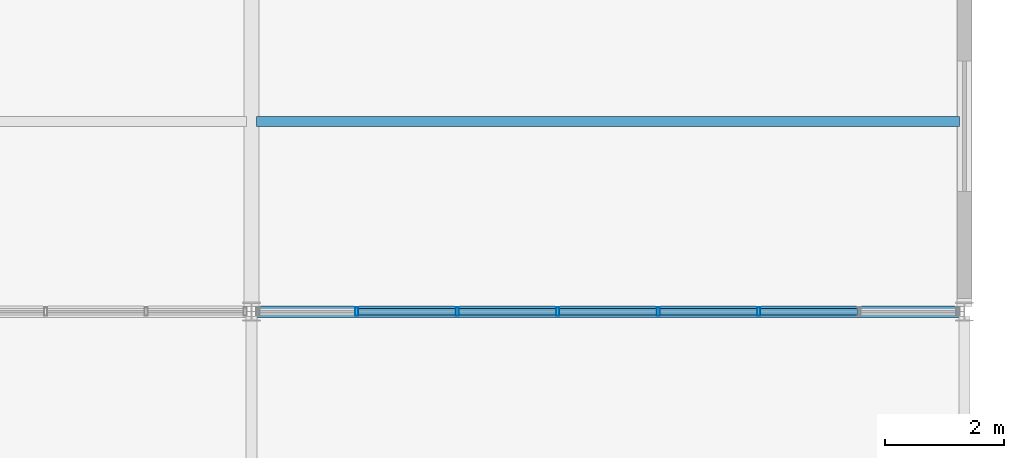
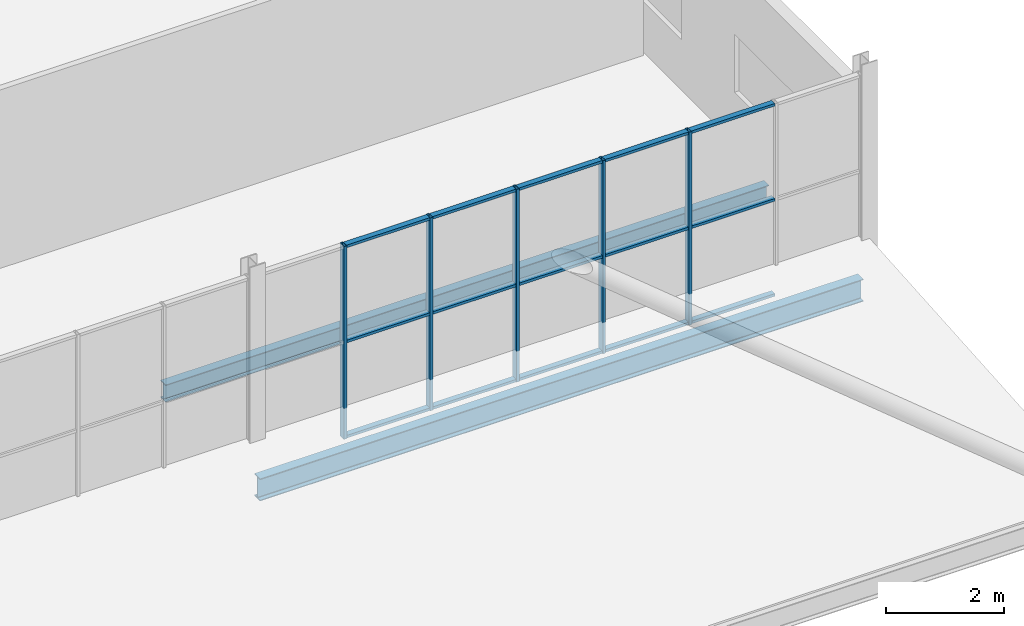
# One storey, part 189 of 324: 20 members, 2 beams, 1 element without a shape of its own.
"""IFC4 building model written with IfcOpenShell, lengths in metres."""

from ifc_helpers import new_model, si_unit, direction, frame, origin, origin_2d, place, context, subcontext, project, spatial, hollow_rectangle, i_section, extrude, material, layer, layer_set, material_profile, profile_set, type_object, element, aggregate, save


model = new_model("IFC4")

# Units and contexts
model_context = context("Model", 3, precision=1e-05, world=origin(), true_north=direction((0.0, 1.0)))
body_context = subcontext(model_context, "Body", "Model", "MODEL_VIEW")
ifc_project = project(units=[si_unit("LENGTHUNIT", "METRE"), si_unit("AREAUNIT", "SQUARE_METRE"), si_unit("VOLUMEUNIT", "CUBIC_METRE"), si_unit("PLANEANGLEUNIT", "RADIAN"), si_unit("MASSUNIT", "GRAM", prefix="KILO")], contexts=[model_context])

# Site, building, storey
site_placement = place(None, origin())
site = spatial("IfcSite", under=ifc_project, at=site_placement, CompositionType="ELEMENT")
building_placement = place(site_placement, origin())
building = spatial("IfcBuilding", under=site, at=building_placement, Name="Solvenia Promenade Tram Depot", CompositionType="ELEMENT")
storey_placement = place(building_placement, frame((0.0, 0.0, 4.5)))
storey = spatial("IfcBuildingStorey", under=building, at=storey_placement, Name="L01", CompositionType="ELEMENT", Elevation=4.5)

# Curtain wall, members
ifc_material_1 = material(Name="Anodized aluminium AW-6063 T6", Category="aluminium")
ifc_layer = layer(ifc_material_1, 0.179931640625, Name="Anodized aluminium AW-6063 T6", Category="aluminium")
ifc_layer_set = layer_set([ifc_layer], Name="Anodized aluminium AW-6063 T6")
curtain_wall_type = type_object("IfcCurtainWallType", Name="CW-Prom-1800", PredefinedType="NOTDEFINED", material=ifc_layer_set)
curtain_wall_placement = place(storey_placement, origin())
curtain_wall = element("IfcCurtainWall", 1, at=curtain_wall_placement, inside=storey, type_object=curtain_wall_type, Name="Curtain Wall CW-V5S-L1-05", PredefinedType="NOTDEFINED")
ifc_material_profile_1 = material_profile(ifc_material_1, hollow_rectangle(XDim=0.139892578125, YDim=0.054931640625, WallThickness=0.00390625, at=origin_2d()), Name="ALU-M4", Category="aluminium")
ifc_profile_set_1 = profile_set([ifc_material_profile_1], Name="Anodized aluminium AW-6063 T6")
member_type_1 = type_object("IfcMemberType", Name="CWM-Mullion-4", PredefinedType="MULLION", material=ifc_profile_set_1)
member_1_placement = place(storey_placement, frame((175.771484375, 8.0, 0.0), z_axis=(0.0, 0.0, 1.0), x_axis=(0.0, 1.0, 0.0)))
member_1 = element("IfcMember", 2, at=member_1_placement, type_object=member_type_1, Name="CW-9 mullion 2", PredefinedType="MULLION", context=body_context, shape_type="SweptSolid", body=[
    extrude(hollow_rectangle(XDim=0.139892578125, YDim=0.054931640625, WallThickness=0.00390625, at=origin_2d()), origin(), (0.0, 0.0, 1.0), 4.0),
])
member_2_placement = place(storey_placement, frame((177.462890625, 8.0, 0.0), z_axis=(0.0, 0.0, 1.0), x_axis=(0.0, 1.0, 0.0)))
member_2 = element("IfcMember", 3, at=member_2_placement, type_object=member_type_1, Name="CW-9 mullion 3", PredefinedType="MULLION", context=body_context, shape_type="SweptSolid", body=[
    extrude(hollow_rectangle(XDim=0.139892578125, YDim=0.054931640625, WallThickness=0.00390625, at=origin_2d()), origin(), (0.0, 0.0, 1.0), 4.0),
])
member_3_placement = place(storey_placement, frame((179.154296875, 8.0, 0.0), z_axis=(0.0, 0.0, 1.0), x_axis=(0.0, 1.0, 0.0)))
member_3 = element("IfcMember", 4, at=member_3_placement, type_object=member_type_1, Name="CW-9 mullion 4", PredefinedType="MULLION", context=body_context, shape_type="SweptSolid", body=[
    extrude(hollow_rectangle(XDim=0.139892578125, YDim=0.054931640625, WallThickness=0.00390625, at=origin_2d()), origin(), (0.0, 0.0, 1.0), 4.0),
])
member_4_placement = place(storey_placement, frame((180.845703125, 8.0, 0.0), z_axis=(0.0, 0.0, 1.0), x_axis=(0.0, 1.0, 0.0)))
member_4 = element("IfcMember", 5, at=member_4_placement, type_object=member_type_1, Name="CW-9 mullion 5", PredefinedType="MULLION", context=body_context, shape_type="SweptSolid", body=[
    extrude(hollow_rectangle(XDim=0.139892578125, YDim=0.054931640625, WallThickness=0.00390625, at=origin_2d()), origin(), (0.0, 0.0, 1.0), 4.0),
])
member_5_placement = place(storey_placement, frame((182.537109375, 8.0, 0.0), z_axis=(0.0, 0.0, 1.0), x_axis=(0.0, 1.0, 0.0)))
member_5 = element("IfcMember", 6, at=member_5_placement, type_object=member_type_1, Name="CW-9 mullion 6", PredefinedType="MULLION", context=body_context, shape_type="SweptSolid", body=[
    extrude(hollow_rectangle(XDim=0.139892578125, YDim=0.054931640625, WallThickness=0.00390625, at=origin_2d()), origin(), (0.0, 0.0, 1.0), 4.0),
])
ifc_material_profile_2 = material_profile(ifc_material_1, hollow_rectangle(XDim=0.110107421875, YDim=0.054931640625, WallThickness=0.00390625, at=origin_2d()), Name="ALU-T4", Category="aluminium")
ifc_profile_set_2 = profile_set([ifc_material_profile_2], Name="Anodized aluminium AW-6063 T6")
member_type_2 = type_object("IfcMemberType", Name="CWT-Transom-4", PredefinedType="USERDEFINED", material=ifc_profile_set_2)
member_6_placement = place(storey_placement, frame((175.798828125, 8.0, 0.027587890625), z_axis=(1.0, 0.0, 0.0), x_axis=(0.0, 1.0, 0.0)))
member_6 = element("IfcMember", 7, at=member_6_placement, type_object=member_type_2, Name="CW-9 transom 2.1", ObjectType="TRANSOM", PredefinedType="USERDEFINED", context=body_context, shape_type="SweptSolid", body=[
    extrude(hollow_rectangle(XDim=0.110107421875, YDim=0.054931640625, WallThickness=0.00390625, at=origin_2d()), origin(), (0.0, 0.0, 1.0), 1.636474609375),
])
member_7_placement = place(storey_placement, frame((175.798828125, 8.0, 2.0), z_axis=(1.0, 0.0, 0.0), x_axis=(0.0, 1.0, 0.0)))
member_7 = element("IfcMember", 8, at=member_7_placement, type_object=member_type_2, Name="CW-9 transom 2.2", ObjectType="TRANSOM", PredefinedType="USERDEFINED", context=body_context, shape_type="SweptSolid", body=[
    extrude(hollow_rectangle(XDim=0.110107421875, YDim=0.054931640625, WallThickness=0.00390625, at=origin_2d()), origin(), (0.0, 0.0, 1.0), 1.636474609375),
])
member_8_placement = place(storey_placement, frame((175.798828125, 8.0, 3.972412109375), z_axis=(1.0, 0.0, 0.0), x_axis=(0.0, 1.0, 0.0)))
member_8 = element("IfcMember", 9, at=member_8_placement, type_object=member_type_2, Name="CW-9 transom 2.3", ObjectType="TRANSOM", PredefinedType="USERDEFINED", context=body_context, shape_type="SweptSolid", body=[
    extrude(hollow_rectangle(XDim=0.110107421875, YDim=0.054931640625, WallThickness=0.00390625, at=origin_2d()), origin(), (0.0, 0.0, 1.0), 1.636474609375),
])
member_9_placement = place(storey_placement, frame((177.490478515625, 8.0, 0.027587890625), z_axis=(1.0, 0.0, 0.0), x_axis=(0.0, 1.0, 0.0)))
member_9 = element("IfcMember", 10, at=member_9_placement, type_object=member_type_2, Name="CW-9 transom 3.1", ObjectType="TRANSOM", PredefinedType="USERDEFINED", context=body_context, shape_type="SweptSolid", body=[
    extrude(hollow_rectangle(XDim=0.110107421875, YDim=0.054931640625, WallThickness=0.00390625, at=origin_2d()), origin(), (0.0, 0.0, 1.0), 1.63623046875),
])
member_10_placement = place(storey_placement, frame((177.490478515625, 8.0, 2.0), z_axis=(1.0, 0.0, 0.0), x_axis=(0.0, 1.0, 0.0)))
member_10 = element("IfcMember", 11, at=member_10_placement, type_object=member_type_2, Name="CW-9 transom 3.2", ObjectType="TRANSOM", PredefinedType="USERDEFINED", context=body_context, shape_type="SweptSolid", body=[
    extrude(hollow_rectangle(XDim=0.110107421875, YDim=0.054931640625, WallThickness=0.00390625, at=origin_2d()), origin(), (0.0, 0.0, 1.0), 1.63623046875),
])
member_11_placement = place(storey_placement, frame((177.490478515625, 8.0, 3.972412109375), z_axis=(1.0, 0.0, 0.0), x_axis=(0.0, 1.0, 0.0)))
member_11 = element("IfcMember", 12, at=member_11_placement, type_object=member_type_2, Name="CW-9 transom 3.3", ObjectType="TRANSOM", PredefinedType="USERDEFINED", context=body_context, shape_type="SweptSolid", body=[
    extrude(hollow_rectangle(XDim=0.110107421875, YDim=0.054931640625, WallThickness=0.00390625, at=origin_2d()), origin(), (0.0, 0.0, 1.0), 1.63623046875),
])
member_12_placement = place(storey_placement, frame((179.181884765625, 8.0, 0.027587890625), z_axis=(1.0, 0.0, 0.0), x_axis=(0.0, 1.0, 0.0)))
member_12 = element("IfcMember", 13, at=member_12_placement, type_object=member_type_2, Name="CW-9 transom 4.1", ObjectType="TRANSOM", PredefinedType="USERDEFINED", context=body_context, shape_type="SweptSolid", body=[
    extrude(hollow_rectangle(XDim=0.110107421875, YDim=0.054931640625, WallThickness=0.00390625, at=origin_2d()), origin(), (0.0, 0.0, 1.0), 1.63623046875),
])
member_13_placement = place(storey_placement, frame((179.181884765625, 8.0, 2.0), z_axis=(1.0, 0.0, 0.0), x_axis=(0.0, 1.0, 0.0)))
member_13 = element("IfcMember", 14, at=member_13_placement, type_object=member_type_2, Name="CW-9 transom 4.2", ObjectType="TRANSOM", PredefinedType="USERDEFINED", context=body_context, shape_type="SweptSolid", body=[
    extrude(hollow_rectangle(XDim=0.110107421875, YDim=0.054931640625, WallThickness=0.00390625, at=origin_2d()), origin(), (0.0, 0.0, 1.0), 1.63623046875),
])
member_14_placement = place(storey_placement, frame((179.181884765625, 8.0, 3.972412109375), z_axis=(1.0, 0.0, 0.0), x_axis=(0.0, 1.0, 0.0)))
member_14 = element("IfcMember", 15, at=member_14_placement, type_object=member_type_2, Name="CW-9 transom 4.3", ObjectType="TRANSOM", PredefinedType="USERDEFINED", context=body_context, shape_type="SweptSolid", body=[
    extrude(hollow_rectangle(XDim=0.110107421875, YDim=0.054931640625, WallThickness=0.00390625, at=origin_2d()), origin(), (0.0, 0.0, 1.0), 1.63623046875),
])
member_15_placement = place(storey_placement, frame((180.873291015625, 8.0, 0.027587890625), z_axis=(1.0, 0.0, 0.0), x_axis=(0.0, 1.0, 0.0)))
member_15 = element("IfcMember", 16, at=member_15_placement, type_object=member_type_2, Name="CW-9 transom 5.1", ObjectType="TRANSOM", PredefinedType="USERDEFINED", context=body_context, shape_type="SweptSolid", body=[
    extrude(hollow_rectangle(XDim=0.110107421875, YDim=0.054931640625, WallThickness=0.00390625, at=origin_2d()), origin(), (0.0, 0.0, 1.0), 1.63623046875),
])
member_16_placement = place(storey_placement, frame((180.873291015625, 8.0, 2.0), z_axis=(1.0, 0.0, 0.0), x_axis=(0.0, 1.0, 0.0)))
member_16 = element("IfcMember", 17, at=member_16_placement, type_object=member_type_2, Name="CW-9 transom 5.2", ObjectType="TRANSOM", PredefinedType="USERDEFINED", context=body_context, shape_type="SweptSolid", body=[
    extrude(hollow_rectangle(XDim=0.110107421875, YDim=0.054931640625, WallThickness=0.00390625, at=origin_2d()), origin(), (0.0, 0.0, 1.0), 1.63623046875),
])
member_17_placement = place(storey_placement, frame((180.873291015625, 8.0, 3.972412109375), z_axis=(1.0, 0.0, 0.0), x_axis=(0.0, 1.0, 0.0)))
member_17 = element("IfcMember", 18, at=member_17_placement, type_object=member_type_2, Name="CW-9 transom 5.3", ObjectType="TRANSOM", PredefinedType="USERDEFINED", context=body_context, shape_type="SweptSolid", body=[
    extrude(hollow_rectangle(XDim=0.110107421875, YDim=0.054931640625, WallThickness=0.00390625, at=origin_2d()), origin(), (0.0, 0.0, 1.0), 1.63623046875),
])
member_18_placement = place(storey_placement, frame((182.564697265625, 8.0, 0.027587890625), z_axis=(1.0, 0.0, 0.0), x_axis=(0.0, 1.0, 0.0)))
member_18 = element("IfcMember", 19, at=member_18_placement, type_object=member_type_2, Name="CW-9 transom 6.1", ObjectType="TRANSOM", PredefinedType="USERDEFINED", context=body_context, shape_type="SweptSolid", body=[
    extrude(hollow_rectangle(XDim=0.110107421875, YDim=0.054931640625, WallThickness=0.00390625, at=origin_2d()), origin(), (0.0, 0.0, 1.0), 1.636474609375),
])
member_19_placement = place(storey_placement, frame((182.564697265625, 8.0, 2.0), z_axis=(1.0, 0.0, 0.0), x_axis=(0.0, 1.0, 0.0)))
member_19 = element("IfcMember", 20, at=member_19_placement, type_object=member_type_2, Name="CW-9 transom 6.2", ObjectType="TRANSOM", PredefinedType="USERDEFINED", context=body_context, shape_type="SweptSolid", body=[
    extrude(hollow_rectangle(XDim=0.110107421875, YDim=0.054931640625, WallThickness=0.00390625, at=origin_2d()), origin(), (0.0, 0.0, 1.0), 1.636474609375),
])
member_20_placement = place(storey_placement, frame((182.564697265625, 8.0, 3.972412109375), z_axis=(1.0, 0.0, 0.0), x_axis=(0.0, 1.0, 0.0)))
member_20 = element("IfcMember", 21, at=member_20_placement, type_object=member_type_2, Name="CW-9 transom 6.3", ObjectType="TRANSOM", PredefinedType="USERDEFINED", context=body_context, shape_type="SweptSolid", body=[
    extrude(hollow_rectangle(XDim=0.110107421875, YDim=0.054931640625, WallThickness=0.00390625, at=origin_2d()), origin(), (0.0, 0.0, 1.0), 1.636474609375),
])
aggregate(curtain_wall, [member_1, member_2, member_3, member_4, member_5, member_6, member_7, member_8, member_9, member_10, member_11, member_12, member_13, member_14, member_15, member_16, member_17, member_18, member_19, member_20])

# Beams
ifc_material_2 = material(Name="Structural steel ASTM A992 Gr. 50", Category="steel")
ifc_material_profile_3 = material_profile(ifc_material_2, i_section(OverallWidth=0.172119140625, OverallDepth=0.35791015625, WebThickness=0.0078125, FlangeThickness=0.01318359375, FilletRadius=0.010986328125, at=origin_2d()), Name="W360x57", Category="steel")
ifc_profile_set_3 = profile_set([ifc_material_profile_3], Name="Structural steel ASTM A992 Gr. 50")
beam_type_1 = type_object("IfcBeamType", Name="Joist-W360x57", PredefinedType="JOIST", material=ifc_profile_set_3)
beam_1_placement = place(storey_placement, frame((174.0849609375, 11.199951171875, -0.39892578125), z_axis=(1.0, 0.0, 0.0), x_axis=(0.0, 1.0, 0.0)))
element("IfcBeam", 22, at=beam_1_placement, inside=storey, type_object=beam_type_1, Name="Secondary Floor Joist BM-L01-0444", PredefinedType="JOIST", context=body_context, shape_type="SweptSolid", body=[
    extrude(i_section(OverallWidth=0.172119140625, OverallDepth=0.35791015625, WebThickness=0.0078125, FlangeThickness=0.01318359375, FilletRadius=0.010986328125, at=origin_2d()), origin(), (0.0, 0.0, 1.0), 11.830078125),
])
ifc_material_profile_4 = material_profile(ifc_material_2, i_section(OverallWidth=0.19091796875, OverallDepth=0.4599609375, WebThickness=0.010009765625, FlangeThickness=0.01611328125, FilletRadius=0.012939453125, at=origin_2d()), Name="W460x82", Category="steel")
ifc_profile_set_4 = profile_set([ifc_material_profile_4], Name="Structural steel ASTM A992 Gr. 50")
beam_type_2 = type_object("IfcBeamType", Name="Spandrel-W460x82", PredefinedType="SPANDREL", material=ifc_profile_set_4)
beam_2_placement = place(storey_placement, frame((174.0849609375, 8.0, -0.449951171875), z_axis=(1.0, 0.0, 0.0), x_axis=(0.0, 1.0, 0.0)))
element("IfcBeam", 23, at=beam_2_placement, inside=storey, type_object=beam_type_2, Name="Perimeter Spandrel BM-L01-0418", PredefinedType="SPANDREL", context=body_context, shape_type="SweptSolid", body=[
    extrude(i_section(OverallWidth=0.19091796875, OverallDepth=0.4599609375, WebThickness=0.010009765625, FlangeThickness=0.01611328125, FilletRadius=0.012939453125, at=origin_2d()), origin(), (0.0, 0.0, 1.0), 11.830078125),
])

save(model, "model.ifc")
